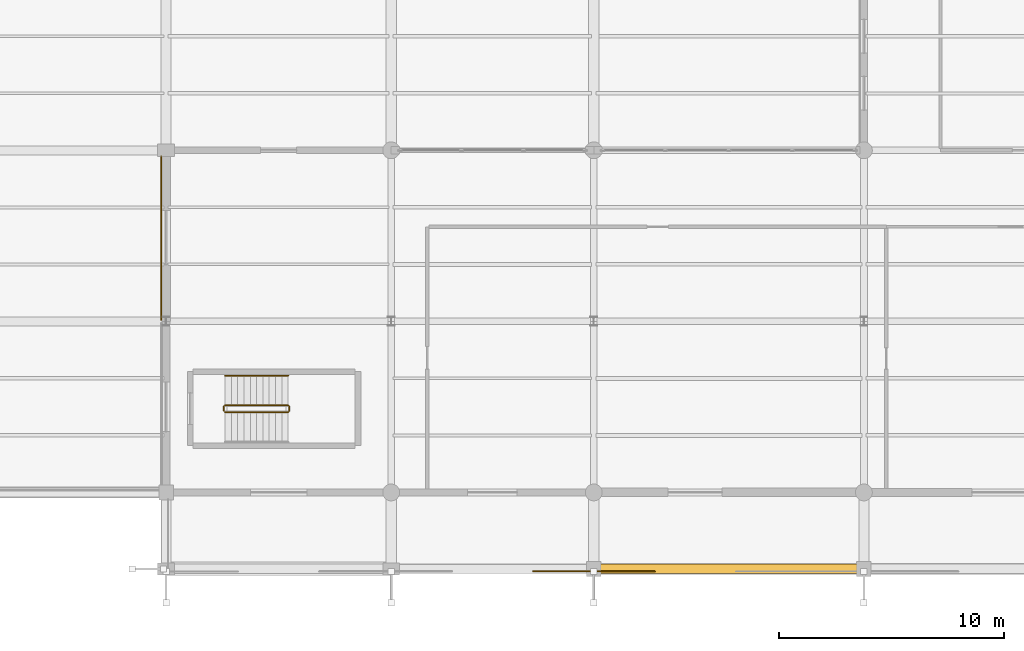
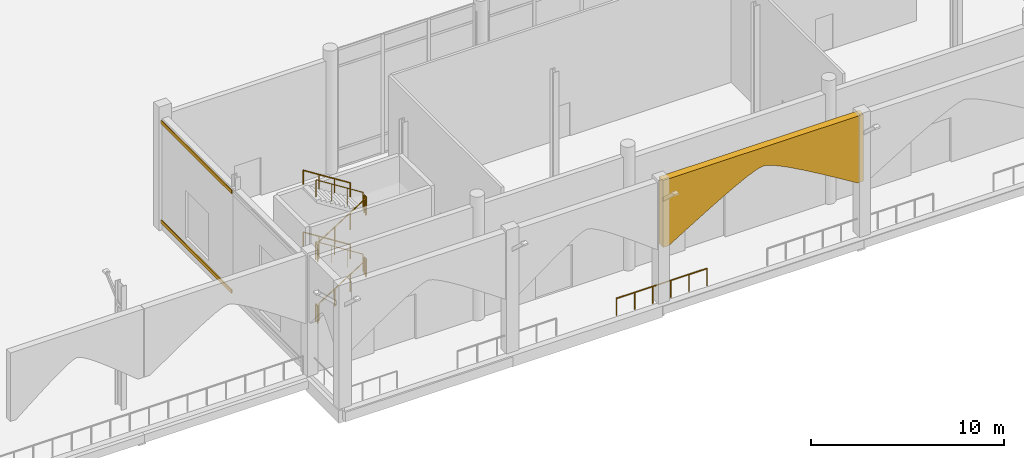
# One storey, part 168 of 176: 11 railings, 3 coverings.
"""IFC4 building model written with IfcOpenShell, lengths in metres."""

from ifc_helpers import new_model, si_unit, direction, frame, origin, origin_2d, place, context, subcontext, project, spatial, polyline, rectangle, circle, outline, extrude, material, layer, layer_set, type_object, element, save


model = new_model("IFC4")

# Units and contexts
model_context = context("Model", 3, precision=1e-05, world=origin(), true_north=direction((0.0, 1.0)))
body_context = subcontext(model_context, "Body", "Model", "MODEL_VIEW")
ifc_project = project(units=[si_unit("LENGTHUNIT", "METRE"), si_unit("AREAUNIT", "SQUARE_METRE"), si_unit("VOLUMEUNIT", "CUBIC_METRE"), si_unit("PLANEANGLEUNIT", "RADIAN"), si_unit("MASSUNIT", "GRAM", prefix="KILO")], contexts=[model_context])

# Site, building, storey
site_placement = place(None, origin())
site = spatial("IfcSite", under=ifc_project, at=site_placement, CompositionType="ELEMENT")
building_placement = place(site_placement, origin())
building = spatial("IfcBuilding", under=site, at=building_placement, Name="Vekula Escarpment Museum", CompositionType="ELEMENT")
storey_placement = place(building_placement, origin())
storey = spatial("IfcBuildingStorey", under=building, at=storey_placement, Name="L01", CompositionType="ELEMENT", Elevation=0.0)

# Coverings
ifc_material_1 = material(Name="Polychrome limestone almasik string-course band", Category="masonry")
ifc_layer_1 = layer(ifc_material_1, 0.06005859375)
ifc_layer_set_1 = layer_set([ifc_layer_1], Name="Polychrome limestone almasik string-course band")
covering_type_1 = type_object("IfcCoveringType", Name="COV-ALM-BAND", PredefinedType="CLADDING", material=ifc_layer_set_1)
for number, where, z_axis, x_axis, name in (
    (1, (135.783935546875, 11.322998046875, 0.41015625), (0.0, 0.0, 1.0), (0.0, 1.0, 0.0), "Almasik Stone String Course L01-0017"),
    (2, (135.783935546875, 11.322998046875, 6.69482421875), (0.0, 0.0, 1.0), (0.0, 1.0, 0.0), "Almasik Stone String Course L01-0018"),
):
    element("IfcCovering", number, at=place(storey_placement, frame(where, z_axis=z_axis, x_axis=x_axis)), inside=storey, type_object=covering_type_1, Name=name, PredefinedType="CLADDING", context=body_context, shape_type="SweptSolid", body=[
        extrude(rectangle(XDim=7.325927734375, YDim=0.06005859375, at=origin_2d()), origin(), (0.0, 0.0, 1.0), 0.219970703125),
    ])
ifc_material_2 = material(Name="Carved limestone revak pointed-arch cladding", Category="masonry")
ifc_layer_2 = layer(ifc_material_2, 0.3798828125)
ifc_layer_set_2 = layer_set([ifc_layer_2], Name="Carved limestone revak pointed-arch cladding")
covering_type_2 = type_object("IfcCoveringType", Name="COV-REVAK-ARCH", PredefinedType="CLADDING", material=ifc_layer_set_2)
covering_placement = place(storey_placement, frame((161.0, -3.18994140625, 3.39990234375), z_axis=(0.0, -1.0, 0.0), x_axis=(1.0, 0.0, 0.0)))
element("IfcCovering", 3, at=covering_placement, inside=storey, type_object=covering_type_2, Name="Ottoman Pointed-Arch Revak Spandrel S-PORT-3", PredefinedType="CLADDING", context=body_context, shape_type="SweptSolid", body=[
    extrude(outline(polyline([(-5.97998046875, 4.219970703125), (5.97998046875, 4.219970703125), (5.97998046875, 0.0), (5.639892578125, 0.0), (4.531494140625, 0.6787109375), (3.46435546875, 1.3232421875), (2.477783203125, 1.901611328125), (1.60888671875, 2.384521484375), (0.889404296875, 2.748046875), (0.346435546875, 2.973388671875), (0.0, 3.050048828125), (-0.346435546875, 2.973388671875), (-0.889404296875, 2.748046875), (-1.60888671875, 2.384521484375), (-2.477783203125, 1.901611328125), (-3.46435546875, 1.3232421875), (-4.531494140625, 0.6787109375), (-5.639892578125, 0.0), (-5.97998046875, 0.0), (-5.97998046875, 4.219970703125)])), origin(), (0.0, 0.0, 1.0), 0.420166015625),
])

# Railings
ifc_material_3 = material(Name="Painted Steel S355 stair guard", Category="steel")
railing_type_1 = type_object("IfcRailingType", Name="RL-STAIR-GUARD", PredefinedType="GUARDRAIL", material=ifc_material_3)
railing_1_placement = place(storey_placement, frame((138.6201171875, 3.570068359375, 0.17724609375)))
element("IfcRailing", 4, at=railing_1_placement, inside=storey, type_object=railing_type_1, Name="L01 ST-06 stair guard 1", PredefinedType="GUARDRAIL", context=body_context, shape_type="SweptSolid", body=[
    extrude(circle(Radius=0.02392578125, at=origin_2d()), frame((0.0, 0.0, 1.076171875), z_axis=(0.844887892834, 0.0, 0.53494340686), x_axis=(0.0, 1.0, 0.0)), (0.0, 0.0, 1.0), 3.313720703125),
    extrude(circle(Radius=0.02099609375, at=origin_2d()), origin(), (0.0, 0.0, 1.0), 1.052001953125),
    extrude(circle(Radius=0.02099609375, at=origin_2d()), frame((0.933349609375, 0.0, 0.5908203125)), (0.0, 0.0, 1.0), 1.052001953125),
    extrude(circle(Radius=0.02099609375, at=origin_2d()), frame((1.866455078125, 0.0, 1.181884765625)), (0.0, 0.0, 1.0), 1.052001953125),
    extrude(circle(Radius=0.02099609375, at=origin_2d()), frame((2.7998046875, 0.0, 1.772705078125)), (0.0, 0.0, 1.0), 1.052001953125),
])
railing_2_placement = place(storey_placement, frame((141.469970703125, 3.6201171875, 1.949951171875)))
element("IfcRailing", 5, at=railing_2_placement, inside=storey, type_object=railing_type_1, Name="L01 ST-06 stair guard 2", PredefinedType="GUARDRAIL", context=body_context, shape_type="SweptSolid", body=[
    extrude(circle(Radius=0.02392578125, at=origin_2d()), frame((0.0, 0.0, 1.076171875), z_axis=(0.0, 1.0, 0.0), x_axis=(-1.0, 0.0, 0.0)), (0.0, 0.0, 1.0), 0.199951171875),
    extrude(circle(Radius=0.02099609375, at=origin_2d()), origin(), (0.0, 0.0, 1.0), 1.052001953125),
    extrude(circle(Radius=0.02099609375, at=origin_2d()), frame((0.0, 0.199951171875, 0.0)), (0.0, 0.0, 1.0), 1.052001953125),
])
railing_3_placement = place(storey_placement, frame((141.419921875, 3.8701171875, 2.127197265625)))
element("IfcRailing", 6, at=railing_3_placement, inside=storey, type_object=railing_type_1, Name="L01 ST-06 stair guard 3", PredefinedType="GUARDRAIL", context=body_context, shape_type="SweptSolid", body=[
    extrude(circle(Radius=0.02392578125, at=origin_2d()), frame((0.0, 0.0, 1.076171875), z_axis=(-0.844887892834, 0.0, 0.53494340686), x_axis=(0.0, -1.0, 0.0)), (0.0, 0.0, 1.0), 3.313720703125),
    extrude(circle(Radius=0.02099609375, at=origin_2d()), origin(), (0.0, 0.0, 1.0), 1.052001953125),
    extrude(circle(Radius=0.02099609375, at=origin_2d()), frame((-0.933349609375, 0.0, 0.5908203125)), (0.0, 0.0, 1.0), 1.052001953125),
    extrude(circle(Radius=0.02099609375, at=origin_2d()), frame((-1.866455078125, 0.0, 1.181884765625)), (0.0, 0.0, 1.0), 1.052001953125),
    extrude(circle(Radius=0.02099609375, at=origin_2d()), frame((-2.7998046875, 0.0, 1.772705078125)), (0.0, 0.0, 1.0), 1.052001953125),
])
railing_4_placement = place(storey_placement, frame((138.570068359375, 3.6201171875, 3.89990234375)))
element("IfcRailing", 7, at=railing_4_placement, inside=storey, type_object=railing_type_1, Name="L01 ST-06 stair guard 4", PredefinedType="GUARDRAIL", context=body_context, shape_type="SweptSolid", body=[
    extrude(circle(Radius=0.02392578125, at=origin_2d()), frame((0.0, 0.0, 1.076171875), z_axis=(0.0, 1.0, 0.0), x_axis=(-1.0, 0.0, 0.0)), (0.0, 0.0, 1.0), 0.199951171875),
    extrude(circle(Radius=0.02099609375, at=origin_2d()), origin(), (0.0, 0.0, 1.0), 1.052001953125),
    extrude(circle(Radius=0.02099609375, at=origin_2d()), frame((0.0, 0.199951171875, 0.0)), (0.0, 0.0, 1.0), 1.052001953125),
])
railing_5_placement = place(storey_placement, frame((138.6201171875, 3.570068359375, 4.077392578125)))
element("IfcRailing", 8, at=railing_5_placement, inside=storey, type_object=railing_type_1, Name="L01 ST-06 stair guard 5", PredefinedType="GUARDRAIL", context=body_context, shape_type="SweptSolid", body=[
    extrude(circle(Radius=0.02392578125, at=origin_2d()), frame((0.0, 0.0, 1.076171875), z_axis=(0.844887892834, 0.0, 0.53494340686), x_axis=(0.0, 1.0, 0.0)), (0.0, 0.0, 1.0), 3.313720703125),
    extrude(circle(Radius=0.02099609375, at=origin_2d()), origin(), (0.0, 0.0, 1.0), 1.052001953125),
    extrude(circle(Radius=0.02099609375, at=origin_2d()), frame((0.933349609375, 0.0, 0.5908203125)), (0.0, 0.0, 1.0), 1.052001953125),
    extrude(circle(Radius=0.02099609375, at=origin_2d()), frame((1.866455078125, 0.0, 1.181884765625)), (0.0, 0.0, 1.0), 1.052001953125),
    extrude(circle(Radius=0.02099609375, at=origin_2d()), frame((2.7998046875, 0.0, 1.772705078125)), (0.0, 0.0, 1.0), 1.052001953125),
])
railing_6_placement = place(storey_placement, frame((141.469970703125, 3.6201171875, 5.85009765625)))
element("IfcRailing", 9, at=railing_6_placement, inside=storey, type_object=railing_type_1, Name="L01 ST-06 stair guard 6", PredefinedType="GUARDRAIL", context=body_context, shape_type="SweptSolid", body=[
    extrude(circle(Radius=0.02392578125, at=origin_2d()), frame((0.0, 0.0, 1.076171875), z_axis=(0.0, 1.0, 0.0), x_axis=(-1.0, 0.0, 0.0)), (0.0, 0.0, 1.0), 0.199951171875),
    extrude(circle(Radius=0.02099609375, at=origin_2d()), origin(), (0.0, 0.0, 1.0), 1.052001953125),
    extrude(circle(Radius=0.02099609375, at=origin_2d()), frame((0.0, 0.199951171875, 0.0)), (0.0, 0.0, 1.0), 1.052001953125),
])
railing_7_placement = place(storey_placement, frame((141.419921875, 3.8701171875, 6.02734375)))
element("IfcRailing", 10, at=railing_7_placement, inside=storey, type_object=railing_type_1, Name="L01 ST-06 stair guard 7", PredefinedType="GUARDRAIL", context=body_context, shape_type="SweptSolid", body=[
    extrude(circle(Radius=0.02392578125, at=origin_2d()), frame((0.0, 0.0, 1.076171875), z_axis=(-0.844887892834, 0.0, 0.53494340686), x_axis=(0.0, -1.0, 0.0)), (0.0, 0.0, 1.0), 3.313720703125),
    extrude(circle(Radius=0.02099609375, at=origin_2d()), origin(), (0.0, 0.0, 1.0), 1.052001953125),
    extrude(circle(Radius=0.02099609375, at=origin_2d()), frame((-0.933349609375, 0.0, 0.5908203125)), (0.0, 0.0, 1.0), 1.052001953125),
    extrude(circle(Radius=0.02099609375, at=origin_2d()), frame((-1.866455078125, 0.0, 1.181884765625)), (0.0, 0.0, 1.0), 1.052001953125),
    extrude(circle(Radius=0.02099609375, at=origin_2d()), frame((-2.7998046875, 0.0, 1.772705078125)), (0.0, 0.0, 1.0), 1.052001953125),
])
railing_8_placement = place(storey_placement, frame((138.570068359375, 3.6201171875, 0.0)))
element("IfcRailing", 11, at=railing_8_placement, inside=storey, type_object=railing_type_1, Name="L01 ST-06 stair guard 8", PredefinedType="GUARDRAIL", context=body_context, shape_type="SweptSolid", body=[
    extrude(circle(Radius=0.02392578125, at=origin_2d()), frame((0.0, 0.0, 1.076171875), z_axis=(0.0, 1.0, 0.0), x_axis=(-1.0, 0.0, 0.0)), (0.0, 0.0, 1.0), 0.199951171875),
    extrude(circle(Radius=0.02099609375, at=origin_2d()), origin(), (0.0, 0.0, 1.0), 1.052001953125),
    extrude(circle(Radius=0.02099609375, at=origin_2d()), frame((0.0, 0.199951171875, 0.0)), (0.0, 0.0, 1.0), 1.052001953125),
])
ifc_material_4 = material(Name="Brushed stainless steel handrail", Category="steel")
railing_type_2 = type_object("IfcRailingType", Name="RL-STAIR-HAND", PredefinedType="HANDRAIL", material=ifc_material_4)
for number, where, name in (
    (12, (141.419921875, 5.18994140625, 2.127197265625), "L01 ST-06 stair handrail 2"),
    (13, (141.419921875, 5.18994140625, 6.02734375), "L01 ST-06 stair handrail 4"),
):
    element("IfcRailing", number, at=place(storey_placement, frame(where)), inside=storey, type_object=railing_type_2, Name=name, PredefinedType="HANDRAIL", context=body_context, shape_type="SweptSolid", body=[
        extrude(circle(Radius=0.02392578125, at=origin_2d()), frame((0.0, 0.0, 0.8759765625), z_axis=(-0.844887892834, 0.0, 0.53494340686), x_axis=(0.0, -1.0, 0.0)), (0.0, 0.0, 1.0), 3.313720703125),
        extrude(circle(Radius=0.02099609375, at=origin_2d()), origin(), (0.0, 0.0, 1.0), 0.851806640625),
        extrude(circle(Radius=0.02099609375, at=origin_2d()), frame((-0.933349609375, 0.0, 0.5908203125)), (0.0, 0.0, 1.0), 0.851806640625),
        extrude(circle(Radius=0.02099609375, at=origin_2d()), frame((-1.866455078125, 0.0, 1.181884765625)), (0.0, 0.0, 1.0), 0.851806640625),
        extrude(circle(Radius=0.02099609375, at=origin_2d()), frame((-2.7998046875, 0.0, 1.772705078125)), (0.0, 0.0, 1.0), 0.851806640625),
    ])
ifc_material_5 = material(Name="Bronze-coated Steel S355 balustrade", Category="steel")
railing_type_3 = type_object("IfcRailingType", Name="RL-TER-GUARD", PredefinedType="GUARDRAIL", material=ifc_material_5)
railing_9_placement = place(storey_placement, frame((157.699951171875, -3.510009765625, 0.0)))
element("IfcRailing", 14, at=railing_9_placement, inside=storey, type_object=railing_type_3, Name="Terrace Balustrade L01-013", PredefinedType="GUARDRAIL", context=body_context, shape_type="SweptSolid", body=[
    extrude(circle(Radius=0.02392578125, at=origin_2d()), frame((0.0, 0.0, 1.076171875), z_axis=(-1.0, 0.0, 0.0), x_axis=(0.0, -1.0, 0.0)), (0.0, 0.0, 1.0), 5.39990234375),
    extrude(circle(Radius=0.02099609375, at=origin_2d()), origin(), (0.0, 0.0, 1.0), 1.052001953125),
    extrude(circle(Radius=0.02099609375, at=origin_2d()), frame((-1.080078125, 0.0, 0.0)), (0.0, 0.0, 1.0), 1.052001953125),
    extrude(circle(Radius=0.02099609375, at=origin_2d()), frame((-2.159912109375, 0.0, 0.0)), (0.0, 0.0, 1.0), 1.052001953125),
    extrude(circle(Radius=0.02099609375, at=origin_2d()), frame((-3.239990234375, 0.0, 0.0)), (0.0, 0.0, 1.0), 1.052001953125),
    extrude(circle(Radius=0.02099609375, at=origin_2d()), frame((-4.31982421875, 0.0, 0.0)), (0.0, 0.0, 1.0), 1.052001953125),
    extrude(circle(Radius=0.02099609375, at=origin_2d()), frame((-5.39990234375, 0.0, 0.0)), (0.0, 0.0, 1.0), 1.052001953125),
])

save(model, "model.ifc")
